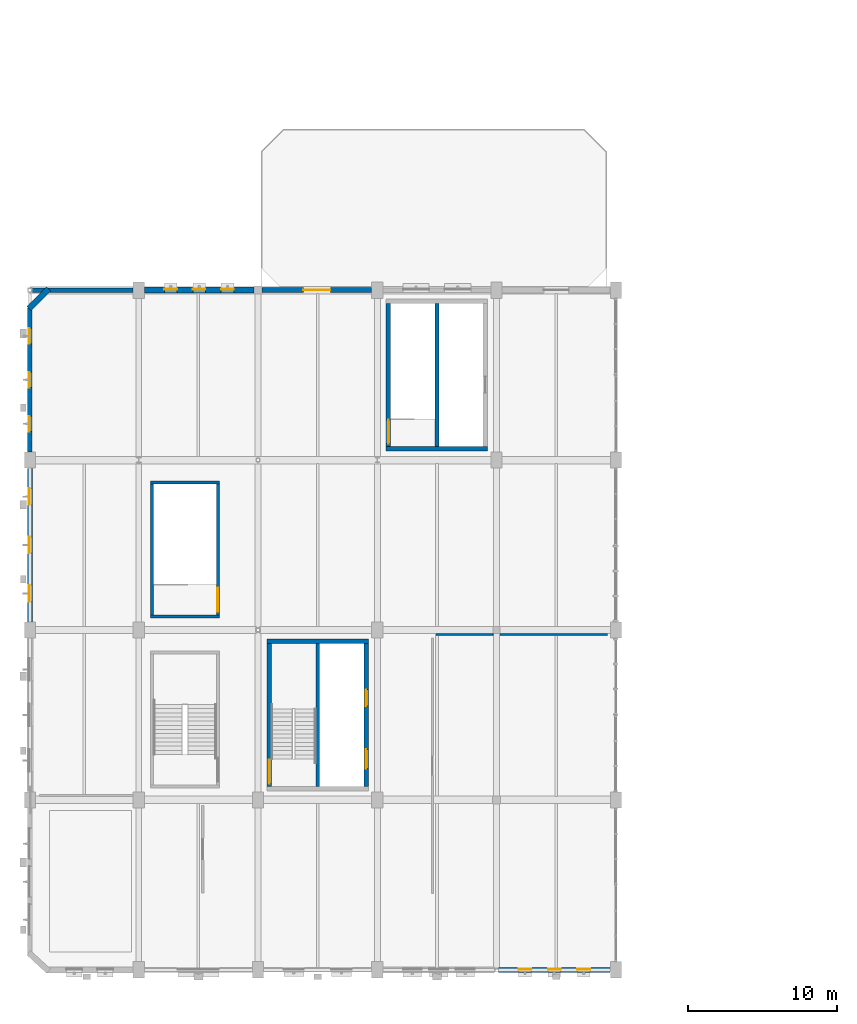
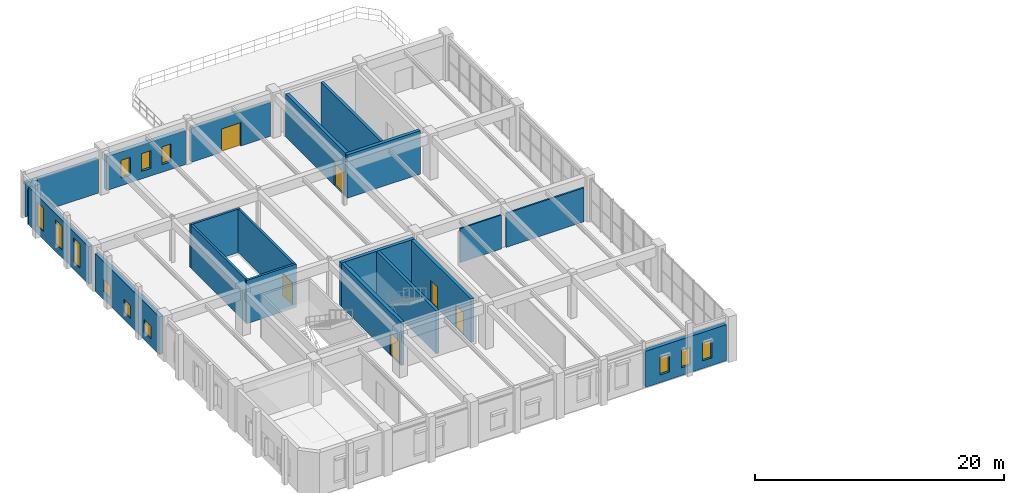
# One storey, part 37 of 48: 20 walls, 12 windows, 6 doors, 18 openings.
"""IFC4 building model written with IfcOpenShell, lengths in metres."""

from ifc_helpers import new_model, si_unit, direction, frame, frame_2d, origin, place, context, subcontext, project, spatial, rectangle, extrude, material, layer, layer_set, type_object, element, fill, save


model = new_model("IFC4")

# Units and contexts
model_context = context("Model", 3, precision=1e-05, world=origin(), true_north=direction((0.0, 1.0)))
body_context = subcontext(model_context, "Body", "Model", "MODEL_VIEW")
ifc_project = project(units=[si_unit("LENGTHUNIT", "METRE"), si_unit("AREAUNIT", "SQUARE_METRE"), si_unit("VOLUMEUNIT", "CUBIC_METRE"), si_unit("PLANEANGLEUNIT", "RADIAN"), si_unit("MASSUNIT", "GRAM", prefix="KILO"), si_unit("POWERUNIT", "WATT"), si_unit("THERMODYNAMICTEMPERATUREUNIT", "KELVIN")], contexts=[model_context])

# Site, building, storey
site_placement = place(None, origin())
site = spatial("IfcSite", under=ifc_project, at=site_placement, CompositionType="ELEMENT")
building_placement = place(site_placement, origin())
building = spatial("IfcBuilding", under=site, at=building_placement, Name="Kelmbourne Parkland Aquatics Centre", CompositionType="ELEMENT")
storey_placement = place(building_placement, frame((0.0, 0.0, 14.699951171875)))
storey = spatial("IfcBuildingStorey", under=building, at=storey_placement, Name="L03", CompositionType="ELEMENT", Elevation=14.699951171875)

# Walls
ifc_material_1 = material(Name="Concrete C40/50", Category="concrete")
ifc_layer_1 = layer(ifc_material_1, 0.25)
ifc_layer_set_1 = layer_set([ifc_layer_1], Name="Concrete C40/50")
wall_type_1 = type_object("IfcWallType", Name="W-CORE-250", PredefinedType="SHEAR", material=ifc_layer_set_1)
wall_1_placement = place(storey_placement, frame((20.0, 13.10009765625, 0.0), z_axis=(0.0, 0.0, 1.0), x_axis=(0.0, 1.0, 0.0)))
element("IfcWall", 1, at=wall_1_placement, inside=storey, type_object=wall_type_1, Name="West Wing South Fire-Fighting Core divider wall (L03)", PredefinedType="SHEAR", context=body_context, shape_type="SweptSolid", body=[
    extrude(rectangle(XDim=9.599853515625, YDim=0.25, at=frame_2d((4.7998046875, 0.0))), origin(), (0.0, 0.0, 1.0), 4.260009765625),
])
wall_2_placement = place(storey_placement, frame((28.0, 35.89990234375, 0.0), z_axis=(0.0, 0.0, 1.0), x_axis=(0.0, 1.0, 0.0)))
element("IfcWall", 2, at=wall_2_placement, inside=storey, type_object=wall_type_1, Name="West Wing North Passenger Core divider wall (L03)", PredefinedType="SHEAR", context=body_context, shape_type="SweptSolid", body=[
    extrude(rectangle(XDim=9.60009765625, YDim=0.25, at=frame_2d((4.800048828125, 0.0))), origin(), (0.0, 0.0, 1.0), 4.260009765625),
])
ifc_layer_2 = layer(ifc_material_1, 0.300048828125)
ifc_layer_set_2 = layer_set([ifc_layer_2], Name="Concrete C40/50")
wall_type_2 = type_object("IfcWallType", Name="W-CORE-300", PredefinedType="SHEAR", material=ifc_layer_set_2)
wall_3_placement = place(storey_placement, frame((16.60009765625, 22.85009765625, 0.0), z_axis=(0.0, 0.0, 1.0), x_axis=(1.0, 0.0, 0.0)))
element("IfcWall", 3, at=wall_3_placement, inside=storey, type_object=wall_type_2, Name="West Wing South Fire-Fighting Core north wall (L03)", PredefinedType="SHEAR", context=body_context, shape_type="SweptSolid", body=[
    extrude(rectangle(XDim=6.7998046875, YDim=0.300048828125, at=frame_2d((3.39990234375, 0.0))), origin(), (0.0, 0.0, 1.0), 4.260009765625),
])

# Wall, opening, door
wall_4_placement = place(storey_placement, frame((16.75, 13.10009765625, 0.0), z_axis=(0.0, 0.0, 1.0), x_axis=(0.0, 1.0, 0.0)))
wall_4 = element("IfcWall", 4, at=wall_4_placement, inside=storey, type_object=wall_type_2, Name="West Wing South Fire-Fighting Core west wall (L03)", PredefinedType="SHEAR", context=body_context, shape_type="SweptSolid", body=[
    extrude(rectangle(XDim=9.599853515625, YDim=0.300048828125, at=frame_2d((4.7998046875, 0.0))), origin(), (0.0, 0.0, 1.0), 4.260009765625),
])
opening_1_placement = place(wall_4_placement, frame((0.199951171875, 0.0, 0.0)))
opening_1 = element("IfcOpeningElement", 5, at=opening_1_placement, cuts=wall_4, Name="Opening FD02", PredefinedType="OPENING", context=body_context, shape_type="SweptSolid", body=[
    extrude(rectangle(XDim=1.60009765625, YDim=2.199951171875, at=frame_2d((0.800048828125, 1.10009765625))), frame((0.0, 0.162109375, 0.0), z_axis=(0.0, -1.0, 0.0), x_axis=(1.0, 0.0, 0.0)), (0.0, 0.0, 1.0), 0.323974609375),
])
ifc_material_2 = material(Name="Marine-grade stainless steel and fire-rated hardwood doorset", Category="steel")
ifc_layer_3 = layer(ifc_material_2, 0.050048828125)
ifc_layer_set_3 = layer_set([ifc_layer_3], Name="Marine-grade stainless steel and fire-rated hardwood doorset")
door_type_1 = type_object("IfcDoorType", Name="DR-FD-160", OperationType="NOTDEFINED", PredefinedType="DOOR", material=ifc_layer_set_3)
door_1_placement = place(opening_1_placement, origin())
door_1 = element("IfcDoor", 6, at=door_1_placement, inside=storey, type_object=door_type_1, Name="Fire stair door ST01 (L03)", OperationType="DOUBLE_DOOR_SINGLE_SWING", OverallHeight=2.199951171875, OverallWidth=1.60009765625, PredefinedType="DOOR", context=body_context, shape_type="SweptSolid", body=[
    extrude(rectangle(XDim=1.60009765625, YDim=2.199951171875, at=frame_2d((0.800048828125, 1.10009765625))), frame((0.0, 0.02490234375, 0.0), z_axis=(0.0, -1.0, 0.0), x_axis=(1.0, 0.0, 0.0)), (0.0, 0.0, 1.0), 0.050048828125),
])
fill(opening_1, door_1)

# Wall, openings, doors
wall_5_placement = place(storey_placement, frame((23.25, 13.10009765625, 0.0), z_axis=(0.0, 0.0, 1.0), x_axis=(0.0, 1.0, 0.0)))
wall_5 = element("IfcWall", 7, at=wall_5_placement, inside=storey, type_object=wall_type_2, Name="West Wing South Fire-Fighting Core east wall (L03)", PredefinedType="SHEAR", context=body_context, shape_type="SweptSolid", body=[
    extrude(rectangle(XDim=9.599853515625, YDim=0.300048828125, at=frame_2d((4.7998046875, 0.0))), origin(), (0.0, 0.0, 1.0), 4.260009765625),
])
opening_2_placement = place(wall_5_placement, frame((1.199951171875, 0.0, 0.0)))
opening_2 = element("IfcOpeningElement", 8, at=opening_2_placement, cuts=wall_5, Name="Opening LD02", PredefinedType="OPENING", context=body_context, shape_type="SweptSolid", body=[
    extrude(rectangle(XDim=1.300048828125, YDim=2.199951171875, at=frame_2d((0.64990234375, 1.10009765625))), frame((0.0, 0.162109375, 0.0), z_axis=(0.0, -1.0, 0.0), x_axis=(1.0, 0.0, 0.0)), (0.0, 0.0, 1.0), 0.323974609375),
])
opening_3_placement = place(wall_5_placement, frame((5.39990234375, 0.0, 0.0)))
opening_3 = element("IfcOpeningElement", 9, at=opening_3_placement, cuts=wall_5, Name="Opening LD01", PredefinedType="OPENING", context=body_context, shape_type="SweptSolid", body=[
    extrude(rectangle(XDim=1.10009765625, YDim=2.199951171875, at=frame_2d((0.550048828125, 1.10009765625))), frame((0.0, 0.162109375, 0.0), z_axis=(0.0, -1.0, 0.0), x_axis=(1.0, 0.0, 0.0)), (0.0, 0.0, 1.0), 0.323974609375),
])
ifc_layer_4 = layer(ifc_material_2, 0.050048828125)
ifc_layer_set_4 = layer_set([ifc_layer_4], Name="Marine-grade stainless steel and fire-rated hardwood doorset")
door_type_2 = type_object("IfcDoorType", Name="DR-LD-110", OperationType="NOTDEFINED", PredefinedType="DOOR", material=ifc_layer_set_4)
door_2_placement = place(opening_3_placement, origin())
door_2 = element("IfcDoor", 10, at=door_2_placement, inside=storey, type_object=door_type_2, Name="Lift landing sliding door LF02 (L03)", OperationType="SLIDING_TO_RIGHT", OverallHeight=2.199951171875, OverallWidth=1.10009765625, PredefinedType="DOOR", context=body_context, shape_type="SweptSolid", body=[
    extrude(rectangle(XDim=1.10009765625, YDim=2.199951171875, at=frame_2d((0.550048828125, 1.10009765625))), frame((0.0, 0.02490234375, 0.0), z_axis=(0.0, -1.0, 0.0), x_axis=(1.0, 0.0, 0.0)), (0.0, 0.0, 1.0), 0.050048828125),
])
fill(opening_3, door_2)
ifc_layer_5 = layer(ifc_material_2, 0.050048828125)
ifc_layer_set_5 = layer_set([ifc_layer_5], Name="Marine-grade stainless steel and fire-rated hardwood doorset")
door_type_3 = type_object("IfcDoorType", Name="DR-LD-130", OperationType="NOTDEFINED", PredefinedType="DOOR", material=ifc_layer_set_5)
door_3_placement = place(opening_2_placement, origin())
door_3 = element("IfcDoor", 11, at=door_3_placement, inside=storey, type_object=door_type_3, Name="Lift landing sliding door LF01 (L03)", OperationType="SLIDING_TO_LEFT", OverallHeight=2.199951171875, OverallWidth=1.300048828125, PredefinedType="DOOR", context=body_context, shape_type="SweptSolid", body=[
    extrude(rectangle(XDim=1.300048828125, YDim=2.199951171875, at=frame_2d((0.64990234375, 1.10009765625))), frame((0.0, 0.02490234375, 0.0), z_axis=(0.0, -1.0, 0.0), x_axis=(1.0, 0.0, 0.0)), (0.0, 0.0, 1.0), 0.050048828125),
])
fill(opening_2, door_3)

# Wall
wall_6_placement = place(storey_placement, frame((24.60009765625, 35.75, 0.0), z_axis=(0.0, 0.0, 1.0), x_axis=(1.0, 0.0, 0.0)))
element("IfcWall", 12, at=wall_6_placement, inside=storey, type_object=wall_type_2, Name="West Wing North Passenger Core south wall (L03)", PredefinedType="SHEAR", context=body_context, shape_type="SweptSolid", body=[
    extrude(rectangle(XDim=6.7998046875, YDim=0.300048828125, at=frame_2d((3.39990234375, 0.0))), origin(), (0.0, 0.0, 1.0), 4.260009765625),
])

# Wall, opening, door
wall_7_placement = place(storey_placement, frame((24.75, 35.89990234375, 0.0), z_axis=(0.0, 0.0, 1.0), x_axis=(0.0, 1.0, 0.0)))
wall_7 = element("IfcWall", 13, at=wall_7_placement, inside=storey, type_object=wall_type_2, Name="West Wing North Passenger Core west wall (L03)", PredefinedType="SHEAR", context=body_context, shape_type="SweptSolid", body=[
    extrude(rectangle(XDim=9.60009765625, YDim=0.300048828125, at=frame_2d((4.800048828125, 0.0))), origin(), (0.0, 0.0, 1.0), 4.260009765625),
])
opening_4_placement = place(wall_7_placement, frame((0.199951171875, 0.0, 0.0)))
opening_4 = element("IfcOpeningElement", 14, at=opening_4_placement, cuts=wall_7, Name="Opening FD02", PredefinedType="OPENING", context=body_context, shape_type="SweptSolid", body=[
    extrude(rectangle(XDim=1.60009765625, YDim=2.199951171875, at=frame_2d((0.800048828125, 1.10009765625))), frame((0.0, 0.162109375, 0.0), z_axis=(0.0, -1.0, 0.0), x_axis=(1.0, 0.0, 0.0)), (0.0, 0.0, 1.0), 0.323974609375),
])
door_4_placement = place(opening_4_placement, origin())
door_4 = element("IfcDoor", 15, at=door_4_placement, inside=storey, type_object=door_type_1, Name="Fire stair door ST02 (L03)", OperationType="DOUBLE_DOOR_SINGLE_SWING", OverallHeight=2.199951171875, OverallWidth=1.60009765625, PredefinedType="DOOR", context=body_context, shape_type="SweptSolid", body=[
    extrude(rectangle(XDim=1.60009765625, YDim=2.199951171875, at=frame_2d((0.800048828125, 1.10009765625))), frame((0.0, 0.02490234375, 0.0), z_axis=(0.0, -1.0, 0.0), x_axis=(1.0, 0.0, 0.0)), (0.0, 0.0, 1.0), 0.050048828125),
])
fill(opening_4, door_4)

# Wall, openings, windows
ifc_material_3 = material(Name="Russet clinker clay brickwork", Category="masonry")
ifc_layer_6 = layer(ifc_material_3, 0.31005859375)
ifc_layer_set_6 = layer_set([ifc_layer_6], Name="Russet clinker clay brickwork")
wall_type_3 = type_object("IfcWallType", Name="W-EXT-310", PredefinedType="STANDARD", material=ifc_layer_set_6)
wall_8_placement = place(storey_placement, frame((0.699951171875, 35.552001953125, 0.0), z_axis=(0.0, 0.0, 1.0), x_axis=(0.0, 1.0, 0.0)))
wall_8 = element("IfcWall", 16, at=wall_8_placement, inside=storey, type_object=wall_type_3, Name="Exterior polychrome brick wall EW-L03-122", PredefinedType="STANDARD", context=body_context, shape_type="SweptSolid", body=[
    extrude(rectangle(XDim=9.64794921875, YDim=0.31005859375, at=frame_2d((4.823974609375, 0.0))), origin(), (0.0, 0.0, 1.0), 3.712158203125),
])
opening_5_placement = place(wall_8_placement, frame((1.35009765625, 0.0, 0.75)))
opening_5 = element("IfcOpeningElement", 17, at=opening_5_placement, cuts=wall_8, Name="Opening W17", PredefinedType="OPENING", context=body_context, shape_type="SweptSolid", body=[
    extrude(rectangle(XDim=1.050048828125, YDim=2.35009765625, at=frame_2d((0.52490234375, 1.175048828125))), frame((0.0, 0.1669921875, 0.0), z_axis=(0.0, -1.0, 0.0), x_axis=(1.0, 0.0, 0.0)), (0.0, 0.0, 1.0), 0.333984375),
])
opening_6_placement = place(wall_8_placement, frame((4.299072265625, 0.0, 0.75)))
opening_6 = element("IfcOpeningElement", 18, at=opening_6_placement, cuts=wall_8, Name="Opening W17", PredefinedType="OPENING", context=body_context, shape_type="SweptSolid", body=[
    extrude(rectangle(XDim=1.050048828125, YDim=2.35009765625, at=frame_2d((0.52490234375, 1.175048828125))), frame((0.0, 0.1669921875, 0.0), z_axis=(0.0, -1.0, 0.0), x_axis=(1.0, 0.0, 0.0)), (0.0, 0.0, 1.0), 0.333984375),
])
opening_7_placement = place(wall_8_placement, frame((7.248046875, 0.0, 0.75)))
opening_7 = element("IfcOpeningElement", 19, at=opening_7_placement, cuts=wall_8, Name="Opening W17", PredefinedType="OPENING", context=body_context, shape_type="SweptSolid", body=[
    extrude(rectangle(XDim=1.050048828125, YDim=2.35009765625, at=frame_2d((0.52490234375, 1.175048828125))), frame((0.0, 0.1669921875, 0.0), z_axis=(0.0, -1.0, 0.0), x_axis=(1.0, 0.0, 0.0)), (0.0, 0.0, 1.0), 0.333984375),
])
ifc_material_4 = material(Name="Thermally broken anodised aluminium window with low-e glass", Category="aluminium")
ifc_layer_7 = layer(ifc_material_4, 0.090087890625)
ifc_layer_set_7 = layer_set([ifc_layer_7], Name="Thermally broken anodised aluminium window with low-e glass")
window_type_1 = type_object("IfcWindowType", Name="WN-17", PartitioningType="SINGLE_PANEL", PredefinedType="WINDOW", material=ifc_layer_set_7)
window_1_placement = place(opening_5_placement, origin())
window_1 = element("IfcWindow", 20, at=window_1_placement, inside=storey, type_object=window_type_1, Name="Deep-reveal masonry window W17", OverallHeight=2.35009765625, OverallWidth=1.050048828125, PartitioningType="SINGLE_PANEL", PredefinedType="WINDOW", context=body_context, shape_type="SweptSolid", body=[
    extrude(rectangle(XDim=1.050048828125, YDim=2.35009765625, at=frame_2d((0.52490234375, 1.175048828125))), frame((0.0, 0.080078125, 0.0), z_axis=(0.0, -1.0, 0.0), x_axis=(1.0, 0.0, 0.0)), (0.0, 0.0, 1.0), 0.06005859375),
])
fill(opening_5, window_1)
window_2_placement = place(opening_6_placement, origin())
window_2 = element("IfcWindow", 21, at=window_2_placement, inside=storey, type_object=window_type_1, Name="Deep-reveal masonry window W17", OverallHeight=2.35009765625, OverallWidth=1.050048828125, PartitioningType="SINGLE_PANEL", PredefinedType="WINDOW", context=body_context, shape_type="SweptSolid", body=[
    extrude(rectangle(XDim=1.050048828125, YDim=2.35009765625, at=frame_2d((0.52490234375, 1.175048828125))), frame((0.0, 0.080078125, 0.0), z_axis=(0.0, -1.0, 0.0), x_axis=(1.0, 0.0, 0.0)), (0.0, 0.0, 1.0), 0.06005859375),
])
fill(opening_6, window_2)
window_3_placement = place(opening_7_placement, origin())
window_3 = element("IfcWindow", 22, at=window_3_placement, inside=storey, type_object=window_type_1, Name="Deep-reveal masonry window W17", OverallHeight=2.35009765625, OverallWidth=1.050048828125, PartitioningType="SINGLE_PANEL", PredefinedType="WINDOW", context=body_context, shape_type="SweptSolid", body=[
    extrude(rectangle(XDim=1.050048828125, YDim=2.35009765625, at=frame_2d((0.52490234375, 1.175048828125))), frame((0.0, 0.080078125, 0.0), z_axis=(0.0, -1.0, 0.0), x_axis=(1.0, 0.0, 0.0)), (0.0, 0.0, 1.0), 0.06005859375),
])
fill(opening_7, window_3)

# Wall
wall_9_placement = place(storey_placement, frame((0.85205078125, 46.39990234375, 0.0), z_axis=(0.0, 0.0, 1.0), x_axis=(1.0, 0.0, 0.0)))
element("IfcWall", 23, at=wall_9_placement, inside=storey, type_object=wall_type_3, Name="Exterior polychrome brick wall EW-L03-128", PredefinedType="STANDARD", context=body_context, shape_type="SweptSolid", body=[
    extrude(rectangle(XDim=6.77099609375, YDim=0.31005859375, at=frame_2d((3.385498046875, 0.0))), origin(), (0.0, 0.0, 1.0), 3.344970703125),
])

# Wall, openings, windows
ifc_material_5 = material(Name="Polychrome glazed brick header coursework", Category="masonry")
ifc_layer_8 = layer(ifc_material_5, 0.35009765625)
ifc_layer_set_8 = layer_set([ifc_layer_8], Name="Polychrome glazed brick header coursework")
wall_type_4 = type_object("IfcWallType", Name="W-EXT-350", PredefinedType="STANDARD", material=ifc_layer_set_8)
wall_10_placement = place(storey_placement, frame((0.699951171875, 24.152099609375, 0.0), z_axis=(0.0, 0.0, 1.0), x_axis=(0.0, 1.0, 0.0)))
wall_10 = element("IfcWall", 24, at=wall_10_placement, inside=storey, type_object=wall_type_4, Name="Exterior polychrome brick wall EW-L03-121", PredefinedType="STANDARD", context=body_context, shape_type="SweptSolid", body=[
    extrude(rectangle(XDim=10.2958984375, YDim=0.35009765625, at=frame_2d((5.14794921875, 0.0))), origin(), (0.0, 0.0, 1.0), 3.712158203125),
])
opening_8_placement = place(wall_10_placement, frame((1.35009765625, 0.0, 0.75)))
opening_8 = element("IfcOpeningElement", 25, at=opening_8_placement, cuts=wall_10, Name="Opening W13", PredefinedType="OPENING", context=body_context, shape_type="SweptSolid", body=[
    extrude(rectangle(XDim=1.10009765625, YDim=1.25, at=frame_2d((0.550048828125, 0.625))), frame((0.0, 0.18701171875, 0.0), z_axis=(0.0, -1.0, 0.0), x_axis=(1.0, 0.0, 0.0)), (0.0, 0.0, 1.0), 0.3740234375),
])
opening_9_placement = place(wall_10_placement, frame((4.597900390625, 0.0, 0.75)))
opening_9 = element("IfcOpeningElement", 26, at=opening_9_placement, cuts=wall_10, Name="Opening W13", PredefinedType="OPENING", context=body_context, shape_type="SweptSolid", body=[
    extrude(rectangle(XDim=1.10009765625, YDim=1.25, at=frame_2d((0.550048828125, 0.625))), frame((0.0, 0.18701171875, 0.0), z_axis=(0.0, -1.0, 0.0), x_axis=(1.0, 0.0, 0.0)), (0.0, 0.0, 1.0), 0.3740234375),
])
opening_10_placement = place(wall_10_placement, frame((7.845947265625, 0.0, 0.75)))
opening_10 = element("IfcOpeningElement", 27, at=opening_10_placement, cuts=wall_10, Name="Opening W13", PredefinedType="OPENING", context=body_context, shape_type="SweptSolid", body=[
    extrude(rectangle(XDim=1.10009765625, YDim=1.25, at=frame_2d((0.550048828125, 0.625))), frame((0.0, 0.18701171875, 0.0), z_axis=(0.0, -1.0, 0.0), x_axis=(1.0, 0.0, 0.0)), (0.0, 0.0, 1.0), 0.3740234375),
])
ifc_layer_9 = layer(ifc_material_4, 0.090087890625)
ifc_layer_set_9 = layer_set([ifc_layer_9], Name="Thermally broken anodised aluminium window with low-e glass")
window_type_2 = type_object("IfcWindowType", Name="WN-13", PartitioningType="SINGLE_PANEL", PredefinedType="WINDOW", material=ifc_layer_set_9)
window_4_placement = place(opening_8_placement, origin())
window_4 = element("IfcWindow", 28, at=window_4_placement, inside=storey, type_object=window_type_2, Name="Deep-reveal masonry window W13", OverallHeight=1.25, OverallWidth=1.10009765625, PartitioningType="SINGLE_PANEL", PredefinedType="WINDOW", context=body_context, shape_type="SweptSolid", body=[
    extrude(rectangle(XDim=1.10009765625, YDim=1.25, at=frame_2d((0.550048828125, 0.625))), frame((0.0, 0.080078125, 0.0), z_axis=(0.0, -1.0, 0.0), x_axis=(1.0, 0.0, 0.0)), (0.0, 0.0, 1.0), 0.06005859375),
])
fill(opening_8, window_4)
window_5_placement = place(opening_9_placement, origin())
window_5 = element("IfcWindow", 29, at=window_5_placement, inside=storey, type_object=window_type_2, Name="Deep-reveal masonry window W13", OverallHeight=1.25, OverallWidth=1.10009765625, PartitioningType="SINGLE_PANEL", PredefinedType="WINDOW", context=body_context, shape_type="SweptSolid", body=[
    extrude(rectangle(XDim=1.10009765625, YDim=1.25, at=frame_2d((0.550048828125, 0.625))), frame((0.0, 0.080078125, 0.0), z_axis=(0.0, -1.0, 0.0), x_axis=(1.0, 0.0, 0.0)), (0.0, 0.0, 1.0), 0.06005859375),
])
fill(opening_9, window_5)
window_6_placement = place(opening_10_placement, origin())
window_6 = element("IfcWindow", 30, at=window_6_placement, inside=storey, type_object=window_type_2, Name="Deep-reveal masonry window W13", OverallHeight=1.25, OverallWidth=1.10009765625, PartitioningType="SINGLE_PANEL", PredefinedType="WINDOW", context=body_context, shape_type="SweptSolid", body=[
    extrude(rectangle(XDim=1.10009765625, YDim=1.25, at=frame_2d((0.550048828125, 0.625))), frame((0.0, 0.080078125, 0.0), z_axis=(0.0, -1.0, 0.0), x_axis=(1.0, 0.0, 0.0)), (0.0, 0.0, 1.0), 0.06005859375),
])
fill(opening_10, window_6)

wall_11_placement = place(storey_placement, frame((32.126953125, 0.800048828125, 0.0), z_axis=(0.0, 0.0, 1.0), x_axis=(1.0, 0.0, 0.0)))
wall_11 = element("IfcWall", 31, at=wall_11_placement, inside=storey, type_object=wall_type_4, Name="Exterior polychrome brick wall EW-L03-127", PredefinedType="STANDARD", context=body_context, shape_type="SweptSolid", body=[
    extrude(rectangle(XDim=7.49609375, YDim=0.35009765625, at=frame_2d((3.748046875, 0.0))), origin(), (0.0, 0.0, 1.0), 3.545166015625),
])
opening_11_placement = place(wall_11_placement, frame((1.35009765625, 0.0, 0.75)))
opening_11 = element("IfcOpeningElement", 32, at=opening_11_placement, cuts=wall_11, Name="Opening W01", PredefinedType="OPENING", context=body_context, shape_type="SweptSolid", body=[
    extrude(rectangle(XDim=0.85009765625, YDim=1.75, at=frame_2d((0.425048828125, 0.875))), frame((0.0, 0.18701171875, 0.0), z_axis=(0.0, -1.0, 0.0), x_axis=(1.0, 0.0, 0.0)), (0.0, 0.0, 1.0), 0.3740234375),
])
opening_12_placement = place(wall_11_placement, frame((3.322998046875, 0.0, 0.75)))
opening_12 = element("IfcOpeningElement", 33, at=opening_12_placement, cuts=wall_11, Name="Opening W01", PredefinedType="OPENING", context=body_context, shape_type="SweptSolid", body=[
    extrude(rectangle(XDim=0.85009765625, YDim=1.75, at=frame_2d((0.425048828125, 0.875))), frame((0.0, 0.18701171875, 0.0), z_axis=(0.0, -1.0, 0.0), x_axis=(1.0, 0.0, 0.0)), (0.0, 0.0, 1.0), 0.3740234375),
])
opening_13_placement = place(wall_11_placement, frame((5.2958984375, 0.0, 0.75)))
opening_13 = element("IfcOpeningElement", 34, at=opening_13_placement, cuts=wall_11, Name="Opening W01", PredefinedType="OPENING", context=body_context, shape_type="SweptSolid", body=[
    extrude(rectangle(XDim=0.85009765625, YDim=1.75, at=frame_2d((0.425048828125, 0.875))), frame((0.0, 0.18701171875, 0.0), z_axis=(0.0, -1.0, 0.0), x_axis=(1.0, 0.0, 0.0)), (0.0, 0.0, 1.0), 0.3740234375),
])
ifc_layer_10 = layer(ifc_material_4, 0.090087890625)
ifc_layer_set_10 = layer_set([ifc_layer_10], Name="Thermally broken anodised aluminium window with low-e glass")
window_type_3 = type_object("IfcWindowType", Name="WN-01", PartitioningType="SINGLE_PANEL", PredefinedType="WINDOW", material=ifc_layer_set_10)
window_7_placement = place(opening_11_placement, origin())
window_7 = element("IfcWindow", 35, at=window_7_placement, inside=storey, type_object=window_type_3, Name="Deep-reveal masonry window W01", OverallHeight=1.75, OverallWidth=0.85009765625, PartitioningType="SINGLE_PANEL", PredefinedType="WINDOW", context=body_context, shape_type="SweptSolid", body=[
    extrude(rectangle(XDim=0.85009765625, YDim=1.75, at=frame_2d((0.425048828125, 0.875))), frame((0.0, 0.080078125, 0.0), z_axis=(0.0, -1.0, 0.0), x_axis=(1.0, 0.0, 0.0)), (0.0, 0.0, 1.0), 0.06005859375),
])
fill(opening_11, window_7)
window_8_placement = place(opening_12_placement, origin())
window_8 = element("IfcWindow", 36, at=window_8_placement, inside=storey, type_object=window_type_3, Name="Deep-reveal masonry window W01", OverallHeight=1.75, OverallWidth=0.85009765625, PartitioningType="SINGLE_PANEL", PredefinedType="WINDOW", context=body_context, shape_type="SweptSolid", body=[
    extrude(rectangle(XDim=0.85009765625, YDim=1.75, at=frame_2d((0.425048828125, 0.875))), frame((0.0, 0.080078125, 0.0), z_axis=(0.0, -1.0, 0.0), x_axis=(1.0, 0.0, 0.0)), (0.0, 0.0, 1.0), 0.06005859375),
])
fill(opening_12, window_8)
window_9_placement = place(opening_13_placement, origin())
window_9 = element("IfcWindow", 37, at=window_9_placement, inside=storey, type_object=window_type_3, Name="Deep-reveal masonry window W01", OverallHeight=1.75, OverallWidth=0.85009765625, PartitioningType="SINGLE_PANEL", PredefinedType="WINDOW", context=body_context, shape_type="SweptSolid", body=[
    extrude(rectangle(XDim=0.85009765625, YDim=1.75, at=frame_2d((0.425048828125, 0.875))), frame((0.0, 0.080078125, 0.0), z_axis=(0.0, -1.0, 0.0), x_axis=(1.0, 0.0, 0.0)), (0.0, 0.0, 1.0), 0.06005859375),
])
fill(opening_13, window_9)

# Wall, opening, door
wall_12_placement = place(storey_placement, frame((16.277099609375, 46.39990234375, 0.0), z_axis=(0.0, 0.0, 1.0), x_axis=(1.0, 0.0, 0.0)))
wall_12 = element("IfcWall", 38, at=wall_12_placement, inside=storey, type_object=wall_type_4, Name="Exterior polychrome brick wall EW-L03-130", PredefinedType="STANDARD", context=body_context, shape_type="SweptSolid", body=[
    extrude(rectangle(XDim=7.345947265625, YDim=0.35009765625, at=frame_2d((3.6728515625, 0.0))), origin(), (0.0, 0.0, 1.0), 3.344970703125),
])
opening_14_placement = place(wall_12_placement, frame((2.77294921875, 0.0, 0.0)))
opening_14 = element("IfcOpeningElement", 39, at=opening_14_placement, cuts=wall_12, Name="Opening TRD1", PredefinedType="OPENING", context=body_context, shape_type="SweptSolid", body=[
    extrude(rectangle(XDim=1.800048828125, YDim=2.300048828125, at=frame_2d((0.89990234375, 1.14990234375))), frame((0.0, 0.18701171875, 0.0), z_axis=(0.0, -1.0, 0.0), x_axis=(1.0, 0.0, 0.0)), (0.0, 0.0, 1.0), 0.3740234375),
])
ifc_material_6 = material(Name="Thermally broken anodised aluminium commercial door", Category="aluminium")
ifc_layer_11 = layer(ifc_material_6, 0.06005859375)
ifc_layer_set_11 = layer_set([ifc_layer_11], Name="Thermally broken anodised aluminium commercial door")
door_type_4 = type_object("IfcDoorType", Name="DR-TER-180", OperationType="NOTDEFINED", PredefinedType="DOOR", material=ifc_layer_set_11)
door_5_placement = place(opening_14_placement, origin())
door_5 = element("IfcDoor", 40, at=door_5_placement, inside=storey, type_object=door_type_4, Name="Walkable terrace access door EW-L03-130", OperationType="DOUBLE_DOOR_SINGLE_SWING", OverallHeight=2.300048828125, OverallWidth=1.800048828125, PredefinedType="DOOR", context=body_context, shape_type="SweptSolid", body=[
    extrude(rectangle(XDim=1.800048828125, YDim=2.300048828125, at=frame_2d((0.89990234375, 1.14990234375))), frame((0.0, 0.02490234375, 0.0), z_axis=(0.0, -1.0, 0.0), x_axis=(1.0, 0.0, 0.0)), (0.0, 0.0, 1.0), 0.050048828125),
])
fill(opening_14, door_5)

# Wall, openings, windows
ifc_layer_12 = layer(ifc_material_3, 0.389892578125)
ifc_layer_set_12 = layer_set([ifc_layer_12], Name="Russet clinker clay brickwork")
wall_type_5 = type_object("IfcWallType", Name="W-EXT-390", PredefinedType="STANDARD", material=ifc_layer_set_12)
wall_13_placement = place(storey_placement, frame((8.376953125, 46.39990234375, 0.0), z_axis=(0.0, 0.0, 1.0), x_axis=(1.0, 0.0, 0.0)))
wall_13 = element("IfcWall", 41, at=wall_13_placement, inside=storey, type_object=wall_type_5, Name="Exterior polychrome brick wall EW-L03-129", PredefinedType="STANDARD", context=body_context, shape_type="SweptSolid", body=[
    extrude(rectangle(XDim=7.345947265625, YDim=0.389892578125, at=frame_2d((3.6728515625, 0.0))), origin(), (0.0, 0.0, 1.0), 3.344970703125),
])
opening_15_placement = place(wall_13_placement, frame((1.35009765625, 0.0, 0.75)))
opening_15 = element("IfcOpeningElement", 42, at=opening_15_placement, cuts=wall_13, Name="Opening W01", PredefinedType="OPENING", context=body_context, shape_type="SweptSolid", body=[
    extrude(rectangle(XDim=0.85009765625, YDim=1.75, at=frame_2d((0.425048828125, 0.875))), frame((0.0, 0.20703125, 0.0), z_axis=(0.0, -1.0, 0.0), x_axis=(1.0, 0.0, 0.0)), (0.0, 0.0, 1.0), 0.413818359375),
])
opening_16_placement = place(wall_13_placement, frame((3.248046875, 0.0, 0.75)))
opening_16 = element("IfcOpeningElement", 43, at=opening_16_placement, cuts=wall_13, Name="Opening W01", PredefinedType="OPENING", context=body_context, shape_type="SweptSolid", body=[
    extrude(rectangle(XDim=0.85009765625, YDim=1.75, at=frame_2d((0.425048828125, 0.875))), frame((0.0, 0.20703125, 0.0), z_axis=(0.0, -1.0, 0.0), x_axis=(1.0, 0.0, 0.0)), (0.0, 0.0, 1.0), 0.413818359375),
])
opening_17_placement = place(wall_13_placement, frame((5.14599609375, 0.0, 0.75)))
opening_17 = element("IfcOpeningElement", 44, at=opening_17_placement, cuts=wall_13, Name="Opening W01", PredefinedType="OPENING", context=body_context, shape_type="SweptSolid", body=[
    extrude(rectangle(XDim=0.85009765625, YDim=1.75, at=frame_2d((0.425048828125, 0.875))), frame((0.0, 0.20703125, 0.0), z_axis=(0.0, -1.0, 0.0), x_axis=(1.0, 0.0, 0.0)), (0.0, 0.0, 1.0), 0.413818359375),
])
window_10_placement = place(opening_15_placement, origin())
window_10 = element("IfcWindow", 45, at=window_10_placement, inside=storey, type_object=window_type_3, Name="Deep-reveal masonry window W01", OverallHeight=1.75, OverallWidth=0.85009765625, PartitioningType="SINGLE_PANEL", PredefinedType="WINDOW", context=body_context, shape_type="SweptSolid", body=[
    extrude(rectangle(XDim=0.85009765625, YDim=1.75, at=frame_2d((0.425048828125, 0.875))), frame((0.0, 0.080078125, 0.0), z_axis=(0.0, -1.0, 0.0), x_axis=(1.0, 0.0, 0.0)), (0.0, 0.0, 1.0), 0.06005859375),
])
fill(opening_15, window_10)
window_11_placement = place(opening_16_placement, origin())
window_11 = element("IfcWindow", 46, at=window_11_placement, inside=storey, type_object=window_type_3, Name="Deep-reveal masonry window W01", OverallHeight=1.75, OverallWidth=0.85009765625, PartitioningType="SINGLE_PANEL", PredefinedType="WINDOW", context=body_context, shape_type="SweptSolid", body=[
    extrude(rectangle(XDim=0.85009765625, YDim=1.75, at=frame_2d((0.425048828125, 0.875))), frame((0.0, 0.080078125, 0.0), z_axis=(0.0, -1.0, 0.0), x_axis=(1.0, 0.0, 0.0)), (0.0, 0.0, 1.0), 0.06005859375),
])
fill(opening_16, window_11)
window_12_placement = place(opening_17_placement, origin())
window_12 = element("IfcWindow", 47, at=window_12_placement, inside=storey, type_object=window_type_3, Name="Deep-reveal masonry window W01", OverallHeight=1.75, OverallWidth=0.85009765625, PartitioningType="SINGLE_PANEL", PredefinedType="WINDOW", context=body_context, shape_type="SweptSolid", body=[
    extrude(rectangle(XDim=0.85009765625, YDim=1.75, at=frame_2d((0.425048828125, 0.875))), frame((0.0, 0.080078125, 0.0), z_axis=(0.0, -1.0, 0.0), x_axis=(1.0, 0.0, 0.0)), (0.0, 0.0, 1.0), 0.06005859375),
])
fill(opening_17, window_12)

# Walls
wall_14_placement = place(storey_placement, frame((0.6201171875, 45.14990234375, 0.0), z_axis=(0.0, 0.0, 1.0), x_axis=(0.707041876255, 0.707171680161, 0.0)))
element("IfcWall", 48, at=wall_14_placement, inside=storey, type_object=wall_type_5, Name="Stepped brick corner bevel CHAM-L03-NW", PredefinedType="STANDARD", context=body_context, shape_type="SweptSolid", body=[
    extrude(rectangle(XDim=1.880859375, YDim=0.389892578125, at=frame_2d((0.9404296875, 0.0))), origin(), (0.0, 0.0, 1.0), 3.344970703125),
])
ifc_material_7 = material(Name="Concrete blockwork C32/40", Category="masonry")
ifc_layer_13 = layer(ifc_material_7, 0.199951171875)
ifc_layer_set_13 = layer_set([ifc_layer_13], Name="Concrete blockwork C32/40")
wall_type_6 = type_object("IfcWallType", Name="W-FIRE-200", PredefinedType="SOLIDWALL", material=ifc_layer_set_13)
for number, where, z_axis, x_axis, name in (
    (49, (8.800048828125, 24.5, 0.0), (0.0, 0.0, 1.0), (1.0, 0.0, 0.0), "West Central Park Exit Stair south enclosure (L03)"),
    (50, (8.800048828125, 33.5, 0.0), (0.0, 0.0, 1.0), (1.0, 0.0, 0.0), "West Central Park Exit Stair north enclosure (L03)"),
):
    element("IfcWall", number, at=place(storey_placement, frame(where, z_axis=z_axis, x_axis=x_axis)), inside=storey, type_object=wall_type_6, Name=name, PredefinedType="SOLIDWALL", context=body_context, shape_type="SweptSolid", body=[
        extrude(rectangle(XDim=4.599853515625, YDim=0.199951171875, at=frame_2d((2.2998046875, 0.0))), origin(), (0.0, 0.0, 1.0), 4.260009765625),
    ])
wall_15_placement = place(storey_placement, frame((8.89990234375, 24.60009765625, 0.0), z_axis=(0.0, 0.0, 1.0), x_axis=(0.0, 1.0, 0.0)))
element("IfcWall", 51, at=wall_15_placement, inside=storey, type_object=wall_type_6, Name="West Central Park Exit Stair west enclosure (L03)", PredefinedType="SOLIDWALL", context=body_context, shape_type="SweptSolid", body=[
    extrude(rectangle(XDim=8.7998046875, YDim=0.199951171875, at=frame_2d((4.39990234375, 0.0))), origin(), (0.0, 0.0, 1.0), 4.260009765625),
])

# Wall, opening, door
wall_16_placement = place(storey_placement, frame((13.300048828125, 24.60009765625, 0.0), z_axis=(0.0, 0.0, 1.0), x_axis=(0.0, 1.0, 0.0)))
wall_16 = element("IfcWall", 52, at=wall_16_placement, inside=storey, type_object=wall_type_6, Name="West Central Park Exit Stair east enclosure (L03)", PredefinedType="SOLIDWALL", context=body_context, shape_type="SweptSolid", body=[
    extrude(rectangle(XDim=8.7998046875, YDim=0.199951171875, at=frame_2d((4.39990234375, 0.0))), origin(), (0.0, 0.0, 1.0), 4.260009765625),
])
opening_18_placement = place(wall_16_placement, frame((0.219970703125, 0.0, 0.0)))
opening_18 = element("IfcOpeningElement", 53, at=opening_18_placement, cuts=wall_16, Name="Opening FD02", PredefinedType="OPENING", context=body_context, shape_type="SweptSolid", body=[
    extrude(rectangle(XDim=1.60009765625, YDim=2.199951171875, at=frame_2d((0.800048828125, 1.10009765625))), frame((0.0, 0.11181640625, 0.0), z_axis=(0.0, -1.0, 0.0), x_axis=(1.0, 0.0, 0.0)), (0.0, 0.0, 1.0), 0.223876953125),
])
door_6_placement = place(opening_18_placement, frame((1.60009765625, 0.0, 0.0), z_axis=(0.0, 0.0, 1.0), x_axis=(-1.0, 0.0, 0.0)))
door_6 = element("IfcDoor", 54, at=door_6_placement, inside=storey, type_object=door_type_1, Name="Exit stair fire door ST07 (L03)", OperationType="DOUBLE_DOOR_SINGLE_SWING", OverallHeight=2.199951171875, OverallWidth=1.60009765625, PredefinedType="DOOR", context=body_context, shape_type="SweptSolid", body=[
    extrude(rectangle(XDim=1.60009765625, YDim=2.199951171875, at=frame_2d((0.800048828125, 1.10009765625))), frame((0.0, 0.02490234375, 0.0), z_axis=(0.0, -1.0, 0.0), x_axis=(1.0, 0.0, 0.0)), (0.0, 0.0, 1.0), 0.050048828125),
])
fill(opening_18, door_6)

# Walls
ifc_material_8 = material(Name="Moisture-resistant acoustic stud partition", Category="gypsum")
ifc_layer_14 = layer(ifc_material_8, 0.1201171875)
ifc_layer_set_14 = layer_set([ifc_layer_14], Name="Moisture-resistant acoustic stud partition")
wall_type_7 = type_object("IfcWallType", Name="W-PART-120", PredefinedType="PARTITIONING", material=ifc_layer_set_14)
wall_17_placement = place(storey_placement, frame((27.949951171875, 23.300048828125, 0.0), z_axis=(0.0, 0.0, 1.0), x_axis=(1.0, 0.0, 0.0)))
element("IfcWall", 55, at=wall_17_placement, inside=storey, type_object=wall_type_7, Name="Interior partition PT-L03-091", PredefinedType="PARTITIONING", context=body_context, shape_type="SweptSolid", body=[
    extrude(rectangle(XDim=3.822998046875, YDim=0.1201171875, at=frame_2d((1.91162109375, 0.0))), origin(), (0.0, 0.0, 1.0), 3.344970703125),
])
ifc_layer_15 = layer(ifc_material_8, 0.14990234375)
ifc_layer_set_15 = layer_set([ifc_layer_15], Name="Moisture-resistant acoustic stud partition")
wall_type_8 = type_object("IfcWallType", Name="W-PART-150", PredefinedType="PARTITIONING", material=ifc_layer_set_15)
wall_18_placement = place(storey_placement, frame((32.22705078125, 23.300048828125, 0.0), z_axis=(0.0, 0.0, 1.0), x_axis=(1.0, 0.0, 0.0)))
element("IfcWall", 56, at=wall_18_placement, inside=storey, type_object=wall_type_8, Name="Interior partition PT-L03-092", PredefinedType="PARTITIONING", context=body_context, shape_type="SweptSolid", body=[
    extrude(rectangle(XDim=7.222900390625, YDim=0.14990234375, at=frame_2d((3.611328125, 0.0))), origin(), (0.0, 0.0, 1.0), 3.344970703125),
])

save(model, "model.ifc")
